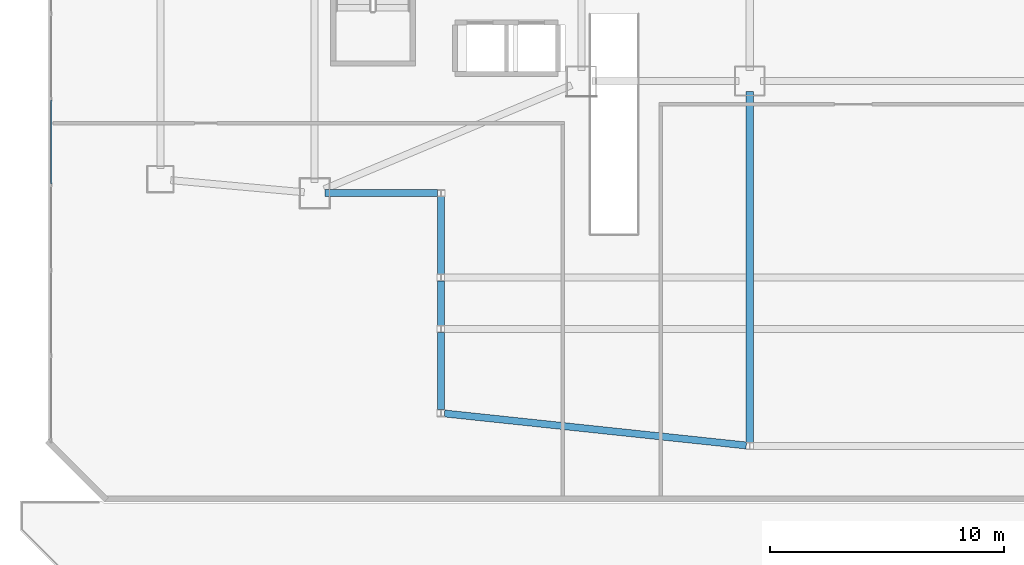
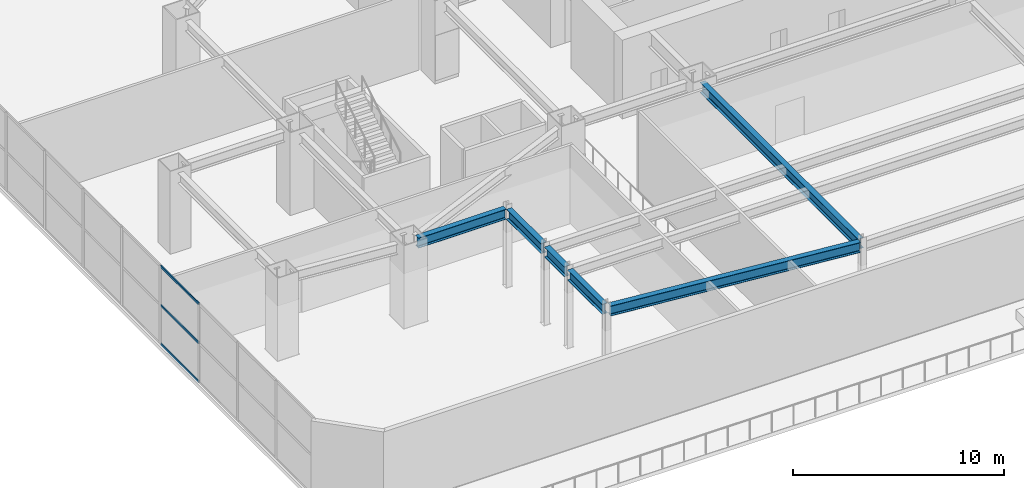
# One storey, part 5 of 31: 6 beams, 3 members, 1 element without a shape of its own.
"""IFC4 building model written with IfcOpenShell, lengths in metres."""

from ifc_helpers import new_model, si_unit, direction, frame, origin, origin_2d, place, context, subcontext, project, spatial, hollow_rectangle, i_section, extrude, material, layer, layer_set, material_profile, profile_set, type_object, element, aggregate, save


model = new_model("IFC4")

# Units and contexts
model_context = context("Model", 3, precision=1e-05, world=origin(), true_north=direction((0.0, 1.0)))
body_context = subcontext(model_context, "Body", "Model", "MODEL_VIEW")
ifc_project = project(units=[si_unit("LENGTHUNIT", "METRE"), si_unit("AREAUNIT", "SQUARE_METRE"), si_unit("VOLUMEUNIT", "CUBIC_METRE"), si_unit("PLANEANGLEUNIT", "RADIAN"), si_unit("MASSUNIT", "GRAM", prefix="KILO")], contexts=[model_context])

# Site, building, storey
site_placement = place(None, origin())
site = spatial("IfcSite", under=ifc_project, at=site_placement, CompositionType="ELEMENT")
building_placement = place(site_placement, origin())
building = spatial("IfcBuilding", under=site, at=building_placement, Name="Haolan Belvedere Tower", CompositionType="ELEMENT")
storey_placement = place(building_placement, frame((0.0, 0.0, 5.39990234375)))
storey = spatial("IfcBuildingStorey", under=building, at=storey_placement, Name="L01", CompositionType="ELEMENT", Elevation=5.39990234375)

# Beams
ifc_material_1 = material(Name="Steel Q355B", Category="steel")
ifc_material_profile_1 = material_profile(ifc_material_1, i_section(OverallWidth=0.300048828125, OverallDepth=0.587890625, WebThickness=0.011962890625, FlangeThickness=0.02001953125, FilletRadius=0.028076171875, at=origin_2d()), Name="Steel Q355B")
ifc_profile_set_1 = profile_set([ifc_material_profile_1], Name="Steel Q355B")
beam_type = type_object("IfcBeamType", Name="BM-HM588x300x12x20", PredefinedType="SPANDREL", material=ifc_profile_set_1)
beam_1_placement = place(storey_placement, frame((18.149169921875, 7.38427734375, 4.26611328125), z_axis=(0.99442213614, -0.105473291192, 0.0), x_axis=(0.105473291192, 0.99442213614, 0.0)))
element("IfcBeam", 1, at=beam_1_placement, inside=storey, type_object=beam_type, Name="L01 spandrel girder PC-SW-1-PC-SM-1", PredefinedType="SPANDREL", context=body_context, shape_type="SweptSolid", body=[
    extrude(i_section(OverallWidth=0.300048828125, OverallDepth=0.587890625, WebThickness=0.011962890625, FlangeThickness=0.02001953125, FilletRadius=0.028076171875, at=origin_2d()), origin(), (0.0, 0.0, 1.0), 12.973876953125),
])
beam_2_placement = place(storey_placement, frame((18.0, 7.550048828125, 4.26611328125), z_axis=(0.0, 1.0, 0.0), x_axis=(-1.0, 0.0, 0.0)))
element("IfcBeam", 2, at=beam_2_placement, inside=storey, type_object=beam_type, Name="L01 spandrel girder PC-SW-1-PC-CS2-W", PredefinedType="SPANDREL", context=body_context, shape_type="SweptSolid", body=[
    extrude(i_section(OverallWidth=0.300048828125, OverallDepth=0.587890625, WebThickness=0.011962890625, FlangeThickness=0.02001953125, FilletRadius=0.028076171875, at=origin_2d()), origin(), (0.0, 0.0, 1.0), 3.300048828125),
])
beam_3_placement = place(storey_placement, frame((18.0, 11.14990234375, 4.26611328125), z_axis=(0.0, 1.0, 0.0), x_axis=(-1.0, 0.0, 0.0)))
element("IfcBeam", 3, at=beam_3_placement, inside=storey, type_object=beam_type, Name="L01 spandrel girder PC-CS2-W-PC-CS3-W", PredefinedType="SPANDREL", context=body_context, shape_type="SweptSolid", body=[
    extrude(i_section(OverallWidth=0.300048828125, OverallDepth=0.587890625, WebThickness=0.011962890625, FlangeThickness=0.02001953125, FilletRadius=0.028076171875, at=origin_2d()), origin(), (0.0, 0.0, 1.0), 1.900146484375),
])
beam_4_placement = place(storey_placement, frame((18.0, 13.35009765625, 4.26611328125), z_axis=(0.0, 1.0, 0.0), x_axis=(-1.0, 0.0, 0.0)))
element("IfcBeam", 4, at=beam_4_placement, inside=storey, type_object=beam_type, Name="L01 spandrel girder PC-CS3-W-PC-CS4-W", PredefinedType="SPANDREL", context=body_context, shape_type="SweptSolid", body=[
    extrude(i_section(OverallWidth=0.300048828125, OverallDepth=0.587890625, WebThickness=0.011962890625, FlangeThickness=0.02001953125, FilletRadius=0.028076171875, at=origin_2d()), origin(), (0.0, 0.0, 1.0), 3.2998046875),
])
beam_5_placement = place(storey_placement, frame((17.85009765625, 16.800048828125, 4.26611328125), z_axis=(-1.0, 0.0, 0.0), x_axis=(0.0, -1.0, 0.0)))
element("IfcBeam", 5, at=beam_5_placement, inside=storey, type_object=beam_type, Name="L01 spandrel girder PC-CS4-W-MC-T2-SW", PredefinedType="SPANDREL", context=body_context, shape_type="SweptSolid", body=[
    extrude(i_section(OverallWidth=0.300048828125, OverallDepth=0.587890625, WebThickness=0.011962890625, FlangeThickness=0.02001953125, FilletRadius=0.028076171875, at=origin_2d()), origin(), (0.0, 0.0, 1.0), 4.800048828125),
])
beam_6_placement = place(storey_placement, frame((31.199951171875, 6.14990234375, 4.26611328125), z_axis=(0.0, 1.0, 0.0), x_axis=(-1.0, 0.0, 0.0)))
element("IfcBeam", 6, at=beam_6_placement, inside=storey, type_object=beam_type, Name="L01 spandrel girder PC-SM-1-MC-T3-S1", PredefinedType="SPANDREL", context=body_context, shape_type="SweptSolid", body=[
    extrude(i_section(OverallWidth=0.300048828125, OverallDepth=0.587890625, WebThickness=0.011962890625, FlangeThickness=0.02001953125, FilletRadius=0.028076171875, at=origin_2d()), origin(), (0.0, 0.0, 1.0), 15.0),
])

# Curtain wall, members
ifc_material_2 = material(Name="Anodised champagne-silver aluminium 6063-T6 and Low-E glass", Category="aluminium")
ifc_layer = layer(ifc_material_2, 0.179931640625, Name="Anodised champagne-silver aluminium 6063-T6 and Low-E glass")
ifc_layer_set = layer_set([ifc_layer], Name="Anodised champagne-silver aluminium 6063-T6 and Low-E glass")
curtain_wall_type = type_object("IfcCurtainWallType", Name="CW-SYS-01", PredefinedType="NOTDEFINED", material=ifc_layer_set)
curtain_wall_placement = place(storey_placement, origin())
curtain_wall = element("IfcCurtainWall", 7, at=curtain_wall_placement, inside=storey, type_object=curtain_wall_type, Name="L01 CW-SYS-01 ribbon curtain wall 4.1", PredefinedType="NOTDEFINED")
ifc_material_3 = material(Name="Anodised aluminium 6063-T6", Category="aluminium")
ifc_material_profile_2 = material_profile(ifc_material_3, hollow_rectangle(XDim=0.06005859375, YDim=0.139892578125, WallThickness=0.00390625, at=origin_2d()), Name="Anodised aluminium 6063-T6")
ifc_profile_set_2 = profile_set([ifc_material_profile_2], Name="Anodised aluminium 6063-T6")
member_type = type_object("IfcMemberType", Name="CW-SYS-01-TRN", PredefinedType="USERDEFINED", material=ifc_profile_set_2)
member_1_placement = place(storey_placement, frame((1.330078125, 20.787841796875, 0.030029296875), z_axis=(0.0, -1.0, 0.0), x_axis=(1.0, 0.0, 0.0)))
member_1 = element("IfcMember", 8, at=member_1_placement, type_object=member_type, Name="CW-01 transom 10.1", ObjectType="TRANSOM", PredefinedType="USERDEFINED", context=body_context, shape_type="SweptSolid", body=[
    extrude(hollow_rectangle(XDim=0.06005859375, YDim=0.139892578125, WallThickness=0.00390625, at=origin_2d()), origin(), (0.0, 0.0, 1.0), 3.591552734375),
])
member_2_placement = place(storey_placement, frame((1.330078125, 20.787841796875, 2.280029296875), z_axis=(0.0, -1.0, 0.0), x_axis=(1.0, 0.0, 0.0)))
member_2 = element("IfcMember", 9, at=member_2_placement, type_object=member_type, Name="CW-01 transom 10.2", ObjectType="TRANSOM", PredefinedType="USERDEFINED", context=body_context, shape_type="SweptSolid", body=[
    extrude(hollow_rectangle(XDim=0.06005859375, YDim=0.139892578125, WallThickness=0.00390625, at=origin_2d()), origin(), (0.0, 0.0, 1.0), 3.591552734375),
])
member_3_placement = place(storey_placement, frame((1.330078125, 20.787841796875, 4.530029296875), z_axis=(0.0, -1.0, 0.0), x_axis=(1.0, 0.0, 0.0)))
member_3 = element("IfcMember", 10, at=member_3_placement, type_object=member_type, Name="CW-01 transom 10.3", ObjectType="TRANSOM", PredefinedType="USERDEFINED", context=body_context, shape_type="SweptSolid", body=[
    extrude(hollow_rectangle(XDim=0.06005859375, YDim=0.139892578125, WallThickness=0.00390625, at=origin_2d()), origin(), (0.0, 0.0, 1.0), 3.591552734375),
])
aggregate(curtain_wall, [member_1, member_2, member_3])

save(model, "model.ifc")
